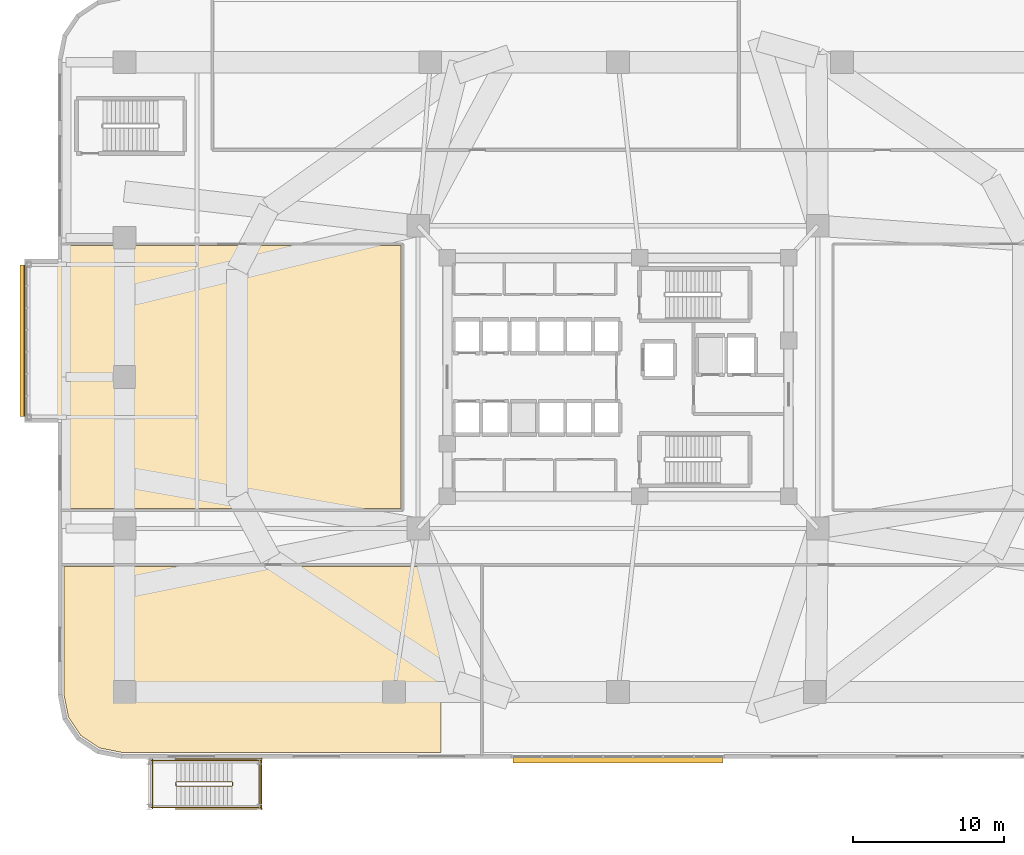
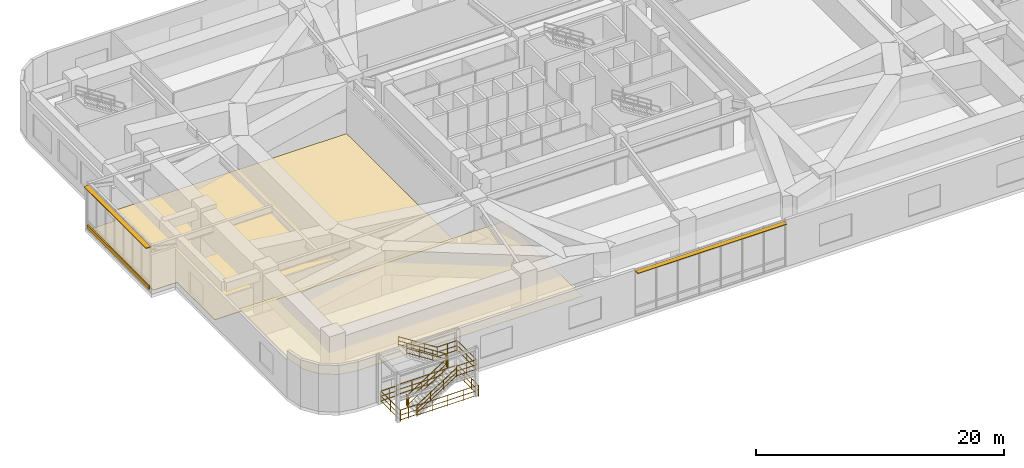
# One storey, part 22 of 26: 15 railings, 3 shading devices, 2 coverings.
"""IFC4 building model written with IfcOpenShell, lengths in metres."""

from ifc_helpers import new_model, si_unit, direction, frame, origin, origin_2d, place, context, subcontext, project, spatial, polyline, rectangle, outline, extrude, material, layer, layer_set, type_object, element, save


model = new_model("IFC4")

# Units and contexts
model_context = context("Model", 3, precision=1e-05, world=origin(), true_north=direction((0.0, 1.0)))
body_context = subcontext(model_context, "Body", "Model", "MODEL_VIEW")
ifc_project = project(units=[si_unit("LENGTHUNIT", "METRE"), si_unit("AREAUNIT", "SQUARE_METRE"), si_unit("VOLUMEUNIT", "CUBIC_METRE"), si_unit("PLANEANGLEUNIT", "RADIAN"), si_unit("MASSUNIT", "GRAM", prefix="KILO")], contexts=[model_context])

# Site, building, storey
site_placement = place(None, origin())
site = spatial("IfcSite", under=ifc_project, at=site_placement, CompositionType="ELEMENT")
building_placement = place(site_placement, origin())
building = spatial("IfcBuilding", under=site, at=building_placement, Name="Zulverin Broadcast Headquarters", CompositionType="ELEMENT")
storey_placement = place(building_placement, frame((0.0, 0.0, 20.0)))
storey = spatial("IfcBuildingStorey", under=building, at=storey_placement, Name="L04", CompositionType="ELEMENT", Elevation=20.0)

# Coverings
ifc_material_1 = material(Name="Perforated pale-metal acoustic baffle ceiling", Category="aluminium")
ifc_layer_1 = layer(ifc_material_1, 0.0400390625, Name="Perforated pale-metal acoustic baffle ceiling", Category="aluminium")
ifc_layer_set_1 = layer_set([ifc_layer_1], Name="Perforated pale-metal acoustic baffle ceiling")
covering_type_1 = type_object("IfcCoveringType", Name="COV-CEIL-ACOU", PredefinedType="CEILING", material=ifc_layer_set_1)
covering_1_placement = place(storey_placement, frame((0.0, 0.0, 3.389892578125)))
element("IfcCovering", 1, at=covering_1_placement, inside=storey, type_object=covering_type_1, Name="L04 Acoustic Baffle Ceiling 01", PredefinedType="CEILING", context=body_context, shape_type="SweptSolid", body=[
    extrude(outline(polyline([(0.39990234375, 4.239990234375), (0.696044921875, 2.748046875), (1.52001953125, 1.52001953125), (2.748046875, 0.696044921875), (4.239990234375, 0.39990234375), (25.300048828125, 0.39990234375), (25.300048828125, 12.679931640625), (0.39990234375, 12.679931640625), (0.39990234375, 4.239990234375)])), origin(), (0.0, 0.0, 1.0), 0.0400390625),
])
ifc_material_2 = material(Name="Anti-static broadcast raised access flooring", Category="stone")
ifc_layer_2 = layer(ifc_material_2, 0.050048828125, Name="Anti-static broadcast raised access flooring", Category="stone")
ifc_layer_set_2 = layer_set([ifc_layer_2], Name="Anti-static broadcast raised access flooring")
covering_type_2 = type_object("IfcCoveringType", Name="COV-FLR-RAISED", PredefinedType="FLOORING", material=ifc_layer_set_2)
covering_2_placement = place(storey_placement, origin())
element("IfcCovering", 2, at=covering_2_placement, inside=storey, type_object=covering_type_2, Name="L04 Broadcast Raised Access Flooring 02", PredefinedType="FLOORING", context=body_context, shape_type="SweptSolid", body=[
    extrude(outline(polyline([(0.2919921875, 32.60009765625), (0.280029296875, 32.60009765625), (-1.800048828125, 32.60009765625), (-1.800048828125, 22.60009765625), (0.280029296875, 22.60009765625), (0.2919921875, 22.60009765625), (0.303955078125, 22.595947265625), (0.31591796875, 22.595947265625), (0.323974609375, 22.592041015625), (0.3359375, 22.583984375), (0.347900390625, 22.580078125), (0.35595703125, 22.572021484375), (0.364013671875, 22.56396484375), (0.3720703125, 22.555908203125), (0.3798828125, 22.548095703125), (0.384033203125, 22.535888671875), (0.39208984375, 22.52392578125), (0.39599609375, 22.51611328125), (0.39599609375, 22.50390625), (0.39990234375, 22.491943359375), (0.39990234375, 22.47998046875), (0.39990234375, 16.52001953125), (22.679931640625, 16.52001953125), (22.679931640625, 33.8798828125), (0.39990234375, 33.8798828125), (0.39990234375, 32.719970703125), (0.39990234375, 32.7080078125), (0.39599609375, 32.696044921875), (0.39599609375, 32.68408203125), (0.39208984375, 32.676025390625), (0.384033203125, 32.6640625), (0.3798828125, 32.652099609375), (0.3720703125, 32.64404296875), (0.364013671875, 32.635986328125), (0.35595703125, 32.6279296875), (0.347900390625, 32.6201171875), (0.3359375, 32.615966796875), (0.323974609375, 32.60791015625), (0.31591796875, 32.60400390625), (0.303955078125, 32.60400390625), (0.2919921875, 32.60009765625)])), origin(), (0.0, 0.0, 1.0), 0.050048828125),
])

# Railings
ifc_material_3 = material(Name="Painted galvanized steel tubular guardrail S355JR", Category="steel")
railing_type_1 = type_object("IfcRailingType", Name="RL-ST-GUARD", PredefinedType="GUARDRAIL", material=ifc_material_3)
railing_1_placement = place(storey_placement, frame((7.85009765625, -1.830078125, 0.178466796875)))
element("IfcRailing", 3, at=railing_1_placement, inside=storey, type_object=railing_type_1, Name="L04 ST-5 stair guard 1", PredefinedType="GUARDRAIL", context=body_context, shape_type="SweptSolid", body=[
    extrude(rectangle(XDim=0.048095703125, YDim=0.048095703125, at=origin_2d()), frame((0.0, 0.0, 1.076171875), z_axis=(0.843111507901, 0.0, 0.53773877045), x_axis=(0.0, 1.0, 0.0)), (0.0, 0.0, 1.0), 4.317138671875),
    extrude(rectangle(XDim=0.0419921875, YDim=0.0419921875, at=origin_2d()), frame((0.0, 0.0, 0.572021484375), z_axis=(0.843111507901, 0.0, 0.53773877045), x_axis=(0.0, 1.0, 0.0)), (0.0, 0.0, 1.0), 4.317138671875),
    extrude(rectangle(XDim=0.0419921875, YDim=0.0419921875, at=origin_2d()), frame((0.0, 0.0, 0.1201171875), z_axis=(0.843111507901, 0.0, 0.53773877045), x_axis=(0.0, 1.0, 0.0)), (0.0, 0.0, 1.0), 4.317138671875),
    extrude(rectangle(XDim=0.0419921875, YDim=0.0419921875, at=origin_2d()), origin(), (0.0, 0.0, 1.0), 1.052001953125),
    extrude(rectangle(XDim=0.0419921875, YDim=0.0419921875, at=origin_2d()), frame((1.21337890625, 0.0, 0.77392578125)), (0.0, 0.0, 1.0), 1.052001953125),
    extrude(rectangle(XDim=0.0419921875, YDim=0.0419921875, at=origin_2d()), frame((2.426513671875, 0.0, 1.547607421875)), (0.0, 0.0, 1.0), 1.052001953125),
    extrude(rectangle(XDim=0.0419921875, YDim=0.0419921875, at=origin_2d()), frame((3.639892578125, 0.0, 2.321533203125)), (0.0, 0.0, 1.0), 1.052001953125),
])
railing_2_placement = place(storey_placement, frame((11.5400390625, -1.780029296875, 2.5)))
element("IfcRailing", 4, at=railing_2_placement, inside=storey, type_object=railing_type_1, Name="L04 ST-5 stair guard 2", PredefinedType="GUARDRAIL", context=body_context, shape_type="SweptSolid", body=[
    extrude(rectangle(XDim=0.048095703125, YDim=0.048095703125, at=origin_2d()), frame((0.0, 0.0, 1.076171875), z_axis=(0.0, 1.0, 0.0), x_axis=(-1.0, 0.0, 0.0)), (0.0, 0.0, 1.0), 0.199951171875),
    extrude(rectangle(XDim=0.0419921875, YDim=0.0419921875, at=origin_2d()), frame((0.0, 0.0, 0.572021484375), z_axis=(0.0, 1.0, 0.0), x_axis=(-1.0, 0.0, 0.0)), (0.0, 0.0, 1.0), 0.199951171875),
    extrude(rectangle(XDim=0.0419921875, YDim=0.0419921875, at=origin_2d()), frame((0.0, 0.0, 0.1201171875), z_axis=(0.0, 1.0, 0.0), x_axis=(-1.0, 0.0, 0.0)), (0.0, 0.0, 1.0), 0.199951171875),
    extrude(rectangle(XDim=0.0419921875, YDim=0.0419921875, at=origin_2d()), origin(), (0.0, 0.0, 1.0), 1.052001953125),
    extrude(rectangle(XDim=0.0419921875, YDim=0.0419921875, at=origin_2d()), frame((0.0, 0.199951171875, 0.0)), (0.0, 0.0, 1.0), 1.052001953125),
])
for number, where, name in (
    (5, (11.489990234375, -3.22998046875, 2.5), "L04 ST-5 stair guard 3"),
    (6, (11.489990234375, -0.1298828125, 2.5), "L04 ST-5 stair guard 4"),
):
    element("IfcRailing", number, at=place(storey_placement, frame(where)), inside=storey, type_object=railing_type_1, Name=name, PredefinedType="GUARDRAIL", context=body_context, shape_type="SweptSolid", body=[
        extrude(rectangle(XDim=0.048095703125, YDim=0.048095703125, at=origin_2d()), frame((0.0, 0.0, 1.076171875), z_axis=(1.0, 0.0, 0.0), x_axis=(0.0, 1.0, 0.0)), (0.0, 0.0, 1.0), 1.909912109375),
        extrude(rectangle(XDim=0.0419921875, YDim=0.0419921875, at=origin_2d()), frame((0.0, 0.0, 0.572021484375), z_axis=(1.0, 0.0, 0.0), x_axis=(0.0, 1.0, 0.0)), (0.0, 0.0, 1.0), 1.909912109375),
        extrude(rectangle(XDim=0.0419921875, YDim=0.0419921875, at=origin_2d()), frame((0.0, 0.0, 0.1201171875), z_axis=(1.0, 0.0, 0.0), x_axis=(0.0, 1.0, 0.0)), (0.0, 0.0, 1.0), 1.909912109375),
        extrude(rectangle(XDim=0.0419921875, YDim=0.0419921875, at=origin_2d()), origin(), (0.0, 0.0, 1.0), 1.052001953125),
        extrude(rectangle(XDim=0.0419921875, YDim=0.0419921875, at=origin_2d()), frame((0.955078125, 0.0, 0.0)), (0.0, 0.0, 1.0), 1.052001953125),
        extrude(rectangle(XDim=0.0419921875, YDim=0.0419921875, at=origin_2d()), frame((1.909912109375, 0.0, 0.0)), (0.0, 0.0, 1.0), 1.052001953125),
    ])
railing_3_placement = place(storey_placement, frame((13.35009765625, -3.280029296875, 2.5)))
element("IfcRailing", 7, at=railing_3_placement, inside=storey, type_object=railing_type_1, Name="L04 ST-5 stair guard 5", PredefinedType="GUARDRAIL", context=body_context, shape_type="SweptSolid", body=[
    extrude(rectangle(XDim=0.048095703125, YDim=0.048095703125, at=origin_2d()), frame((0.0, 0.0, 1.076171875), z_axis=(0.0, 1.0, 0.0), x_axis=(-1.0, 0.0, 0.0)), (0.0, 0.0, 1.0), 3.199951171875),
    extrude(rectangle(XDim=0.0419921875, YDim=0.0419921875, at=origin_2d()), frame((0.0, 0.0, 0.572021484375), z_axis=(0.0, 1.0, 0.0), x_axis=(-1.0, 0.0, 0.0)), (0.0, 0.0, 1.0), 3.199951171875),
    extrude(rectangle(XDim=0.0419921875, YDim=0.0419921875, at=origin_2d()), frame((0.0, 0.0, 0.1201171875), z_axis=(0.0, 1.0, 0.0), x_axis=(-1.0, 0.0, 0.0)), (0.0, 0.0, 1.0), 3.199951171875),
    extrude(rectangle(XDim=0.0419921875, YDim=0.0419921875, at=origin_2d()), origin(), (0.0, 0.0, 1.0), 1.052001953125),
    extrude(rectangle(XDim=0.0419921875, YDim=0.0419921875, at=origin_2d()), frame((0.0, 1.60009765625, 0.0)), (0.0, 0.0, 1.0), 1.052001953125),
    extrude(rectangle(XDim=0.0419921875, YDim=0.0419921875, at=origin_2d()), frame((0.0, 3.199951171875, 0.0)), (0.0, 0.0, 1.0), 1.052001953125),
])
railing_4_placement = place(storey_placement, frame((11.489990234375, -1.530029296875, 2.678466796875)))
element("IfcRailing", 8, at=railing_4_placement, inside=storey, type_object=railing_type_1, Name="L04 ST-5 stair guard 6", PredefinedType="GUARDRAIL", context=body_context, shape_type="SweptSolid", body=[
    extrude(rectangle(XDim=0.048095703125, YDim=0.048095703125, at=origin_2d()), frame((0.0, 0.0, 1.076171875), z_axis=(-0.843111507901, 0.0, 0.53773877045), x_axis=(0.0, -1.0, 0.0)), (0.0, 0.0, 1.0), 4.317138671875),
    extrude(rectangle(XDim=0.0419921875, YDim=0.0419921875, at=origin_2d()), frame((0.0, 0.0, 0.572021484375), z_axis=(-0.843111507901, 0.0, 0.53773877045), x_axis=(0.0, -1.0, 0.0)), (0.0, 0.0, 1.0), 4.317138671875),
    extrude(rectangle(XDim=0.0419921875, YDim=0.0419921875, at=origin_2d()), frame((0.0, 0.0, 0.1201171875), z_axis=(-0.843111507901, 0.0, 0.53773877045), x_axis=(0.0, -1.0, 0.0)), (0.0, 0.0, 1.0), 4.317138671875),
    extrude(rectangle(XDim=0.0419921875, YDim=0.0419921875, at=origin_2d()), origin(), (0.0, 0.0, 1.0), 1.052001953125),
    extrude(rectangle(XDim=0.0419921875, YDim=0.0419921875, at=origin_2d()), frame((-1.21337890625, 0.0, 0.77392578125)), (0.0, 0.0, 1.0), 1.052001953125),
    extrude(rectangle(XDim=0.0419921875, YDim=0.0419921875, at=origin_2d()), frame((-2.426513671875, 0.0, 1.547607421875)), (0.0, 0.0, 1.0), 1.052001953125),
    extrude(rectangle(XDim=0.0419921875, YDim=0.0419921875, at=origin_2d()), frame((-3.639892578125, 0.0, 2.321533203125)), (0.0, 0.0, 1.0), 1.052001953125),
])
railing_5_placement = place(storey_placement, frame((7.800048828125, -1.780029296875, 0.0)))
element("IfcRailing", 9, at=railing_5_placement, inside=storey, type_object=railing_type_1, Name="L04 ST-5 stair guard 7", PredefinedType="GUARDRAIL", context=body_context, shape_type="SweptSolid", body=[
    extrude(rectangle(XDim=0.048095703125, YDim=0.048095703125, at=origin_2d()), frame((0.0, 0.0, 1.076171875), z_axis=(0.0, 1.0, 0.0), x_axis=(-1.0, 0.0, 0.0)), (0.0, 0.0, 1.0), 0.199951171875),
    extrude(rectangle(XDim=0.0419921875, YDim=0.0419921875, at=origin_2d()), frame((0.0, 0.0, 0.572021484375), z_axis=(0.0, 1.0, 0.0), x_axis=(-1.0, 0.0, 0.0)), (0.0, 0.0, 1.0), 0.199951171875),
    extrude(rectangle(XDim=0.0419921875, YDim=0.0419921875, at=origin_2d()), frame((0.0, 0.0, 0.1201171875), z_axis=(0.0, 1.0, 0.0), x_axis=(-1.0, 0.0, 0.0)), (0.0, 0.0, 1.0), 0.199951171875),
    extrude(rectangle(XDim=0.0419921875, YDim=0.0419921875, at=origin_2d()), origin(), (0.0, 0.0, 1.0), 1.052001953125),
    extrude(rectangle(XDim=0.0419921875, YDim=0.0419921875, at=origin_2d()), frame((0.0, 0.199951171875, 0.0)), (0.0, 0.0, 1.0), 1.052001953125),
])
for number, where, name in (
    (10, (6.199951171875, -3.22998046875, 0.0), "L04 ST-5 stair guard 8"),
    (11, (6.199951171875, -0.1298828125, 0.0), "L04 ST-5 stair guard 9"),
):
    element("IfcRailing", number, at=place(storey_placement, frame(where)), inside=storey, type_object=railing_type_1, Name=name, PredefinedType="GUARDRAIL", context=body_context, shape_type="SweptSolid", body=[
        extrude(rectangle(XDim=0.048095703125, YDim=0.048095703125, at=origin_2d()), frame((0.0, 0.0, 1.076171875), z_axis=(1.0, 0.0, 0.0), x_axis=(0.0, 1.0, 0.0)), (0.0, 0.0, 1.0), 1.650146484375),
        extrude(rectangle(XDim=0.0419921875, YDim=0.0419921875, at=origin_2d()), frame((0.0, 0.0, 0.572021484375), z_axis=(1.0, 0.0, 0.0), x_axis=(0.0, 1.0, 0.0)), (0.0, 0.0, 1.0), 1.650146484375),
        extrude(rectangle(XDim=0.0419921875, YDim=0.0419921875, at=origin_2d()), frame((0.0, 0.0, 0.1201171875), z_axis=(1.0, 0.0, 0.0), x_axis=(0.0, 1.0, 0.0)), (0.0, 0.0, 1.0), 1.650146484375),
        extrude(rectangle(XDim=0.0419921875, YDim=0.0419921875, at=origin_2d()), origin(), (0.0, 0.0, 1.0), 1.052001953125),
        extrude(rectangle(XDim=0.0419921875, YDim=0.0419921875, at=origin_2d()), frame((0.8251953125, 0.0, 0.0)), (0.0, 0.0, 1.0), 1.052001953125),
        extrude(rectangle(XDim=0.0419921875, YDim=0.0419921875, at=origin_2d()), frame((1.650146484375, 0.0, 0.0)), (0.0, 0.0, 1.0), 1.052001953125),
    ])
railing_6_placement = place(storey_placement, frame((6.25, -3.280029296875, 0.0)))
element("IfcRailing", 12, at=railing_6_placement, inside=storey, type_object=railing_type_1, Name="L04 ST-5 stair guard 10", PredefinedType="GUARDRAIL", context=body_context, shape_type="SweptSolid", body=[
    extrude(rectangle(XDim=0.048095703125, YDim=0.048095703125, at=origin_2d()), frame((0.0, 0.0, 1.076171875), z_axis=(0.0, 1.0, 0.0), x_axis=(-1.0, 0.0, 0.0)), (0.0, 0.0, 1.0), 3.199951171875),
    extrude(rectangle(XDim=0.0419921875, YDim=0.0419921875, at=origin_2d()), frame((0.0, 0.0, 0.572021484375), z_axis=(0.0, 1.0, 0.0), x_axis=(-1.0, 0.0, 0.0)), (0.0, 0.0, 1.0), 3.199951171875),
    extrude(rectangle(XDim=0.0419921875, YDim=0.0419921875, at=origin_2d()), frame((0.0, 0.0, 0.1201171875), z_axis=(0.0, 1.0, 0.0), x_axis=(-1.0, 0.0, 0.0)), (0.0, 0.0, 1.0), 3.199951171875),
    extrude(rectangle(XDim=0.0419921875, YDim=0.0419921875, at=origin_2d()), origin(), (0.0, 0.0, 1.0), 1.052001953125),
    extrude(rectangle(XDim=0.0419921875, YDim=0.0419921875, at=origin_2d()), frame((0.0, 1.60009765625, 0.0)), (0.0, 0.0, 1.0), 1.052001953125),
    extrude(rectangle(XDim=0.0419921875, YDim=0.0419921875, at=origin_2d()), frame((0.0, 3.199951171875, 0.0)), (0.0, 0.0, 1.0), 1.052001953125),
])
for number, where, name in (
    (13, (7.75, -3.330078125, 0.0), "L04 ST-5 stair guard 11"),
    (14, (7.75, -0.030029296875, 0.0), "L04 ST-5 stair guard 12"),
):
    element("IfcRailing", number, at=place(storey_placement, frame(where)), inside=storey, type_object=railing_type_1, Name=name, PredefinedType="GUARDRAIL", context=body_context, shape_type="SweptSolid", body=[
        extrude(rectangle(XDim=0.048095703125, YDim=0.048095703125, at=origin_2d()), frame((0.0, 0.0, 1.076171875), z_axis=(1.0, 0.0, 0.0), x_axis=(0.0, 1.0, 0.0)), (0.0, 0.0, 1.0), 5.75),
        extrude(rectangle(XDim=0.0419921875, YDim=0.0419921875, at=origin_2d()), frame((0.0, 0.0, 0.572021484375), z_axis=(1.0, 0.0, 0.0), x_axis=(0.0, 1.0, 0.0)), (0.0, 0.0, 1.0), 5.75),
        extrude(rectangle(XDim=0.0419921875, YDim=0.0419921875, at=origin_2d()), frame((0.0, 0.0, 0.1201171875), z_axis=(1.0, 0.0, 0.0), x_axis=(0.0, 1.0, 0.0)), (0.0, 0.0, 1.0), 5.75),
        extrude(rectangle(XDim=0.0419921875, YDim=0.0419921875, at=origin_2d()), origin(), (0.0, 0.0, 1.0), 1.052001953125),
        extrude(rectangle(XDim=0.0419921875, YDim=0.0419921875, at=origin_2d()), frame((1.4375, 0.0, 0.0)), (0.0, 0.0, 1.0), 1.052001953125),
        extrude(rectangle(XDim=0.0419921875, YDim=0.0419921875, at=origin_2d()), frame((2.875, 0.0, 0.0)), (0.0, 0.0, 1.0), 1.052001953125),
        extrude(rectangle(XDim=0.0419921875, YDim=0.0419921875, at=origin_2d()), frame((4.3125, 0.0, 0.0)), (0.0, 0.0, 1.0), 1.052001953125),
        extrude(rectangle(XDim=0.0419921875, YDim=0.0419921875, at=origin_2d()), frame((5.75, 0.0, 0.0)), (0.0, 0.0, 1.0), 1.052001953125),
    ])
railing_7_placement = place(storey_placement, frame((13.449951171875, -3.3798828125, 0.0)))
element("IfcRailing", 15, at=railing_7_placement, inside=storey, type_object=railing_type_1, Name="L04 ST-5 stair guard 13", PredefinedType="GUARDRAIL", context=body_context, shape_type="SweptSolid", body=[
    extrude(rectangle(XDim=0.048095703125, YDim=0.048095703125, at=origin_2d()), frame((0.0, 0.0, 1.076171875), z_axis=(0.0, 1.0, 0.0), x_axis=(-1.0, 0.0, 0.0)), (0.0, 0.0, 1.0), 3.39990234375),
    extrude(rectangle(XDim=0.0419921875, YDim=0.0419921875, at=origin_2d()), frame((0.0, 0.0, 0.572021484375), z_axis=(0.0, 1.0, 0.0), x_axis=(-1.0, 0.0, 0.0)), (0.0, 0.0, 1.0), 3.39990234375),
    extrude(rectangle(XDim=0.0419921875, YDim=0.0419921875, at=origin_2d()), frame((0.0, 0.0, 0.1201171875), z_axis=(0.0, 1.0, 0.0), x_axis=(-1.0, 0.0, 0.0)), (0.0, 0.0, 1.0), 3.39990234375),
    extrude(rectangle(XDim=0.0419921875, YDim=0.0419921875, at=origin_2d()), origin(), (0.0, 0.0, 1.0), 1.052001953125),
    extrude(rectangle(XDim=0.0419921875, YDim=0.0419921875, at=origin_2d()), frame((0.0, 1.13330078125, 0.0)), (0.0, 0.0, 1.0), 1.052001953125),
    extrude(rectangle(XDim=0.0419921875, YDim=0.0419921875, at=origin_2d()), frame((0.0, 2.2666015625, 0.0)), (0.0, 0.0, 1.0), 1.052001953125),
    extrude(rectangle(XDim=0.0419921875, YDim=0.0419921875, at=origin_2d()), frame((0.0, 3.39990234375, 0.0)), (0.0, 0.0, 1.0), 1.052001953125),
])
ifc_material_4 = material(Name="Brushed stainless steel 48 mm handrail", Category="steel")
railing_type_2 = type_object("IfcRailingType", Name="RL-ST-HAND", PredefinedType="HANDRAIL", material=ifc_material_4)
railing_8_placement = place(storey_placement, frame((7.85009765625, -3.22998046875, 0.178466796875)))
element("IfcRailing", 16, at=railing_8_placement, inside=storey, type_object=railing_type_2, Name="L04 ST-5 stair handrail 1", PredefinedType="HANDRAIL", context=body_context, shape_type="SweptSolid", body=[
    extrude(rectangle(XDim=0.048095703125, YDim=0.048095703125, at=origin_2d()), frame((0.0, 0.0, 0.8759765625), z_axis=(0.843111507901, 0.0, 0.53773877045), x_axis=(0.0, 1.0, 0.0)), (0.0, 0.0, 1.0), 4.317138671875),
    extrude(rectangle(XDim=0.0419921875, YDim=0.0419921875, at=origin_2d()), frame((0.0, 0.0, 0.468017578125), z_axis=(0.843111507901, 0.0, 0.53773877045), x_axis=(0.0, 1.0, 0.0)), (0.0, 0.0, 1.0), 4.317138671875),
    extrude(rectangle(XDim=0.0419921875, YDim=0.0419921875, at=origin_2d()), frame((0.0, 0.0, 0.1201171875), z_axis=(0.843111507901, 0.0, 0.53773877045), x_axis=(0.0, 1.0, 0.0)), (0.0, 0.0, 1.0), 4.317138671875),
    extrude(rectangle(XDim=0.0419921875, YDim=0.0419921875, at=origin_2d()), origin(), (0.0, 0.0, 1.0), 0.851806640625),
    extrude(rectangle(XDim=0.0419921875, YDim=0.0419921875, at=origin_2d()), frame((1.21337890625, 0.0, 0.77392578125)), (0.0, 0.0, 1.0), 0.851806640625),
    extrude(rectangle(XDim=0.0419921875, YDim=0.0419921875, at=origin_2d()), frame((2.426513671875, 0.0, 1.547607421875)), (0.0, 0.0, 1.0), 0.851806640625),
    extrude(rectangle(XDim=0.0419921875, YDim=0.0419921875, at=origin_2d()), frame((3.639892578125, 0.0, 2.321533203125)), (0.0, 0.0, 1.0), 0.851806640625),
])
railing_9_placement = place(storey_placement, frame((11.489990234375, -0.1298828125, 2.678466796875)))
element("IfcRailing", 17, at=railing_9_placement, inside=storey, type_object=railing_type_2, Name="L04 ST-5 stair handrail 2", PredefinedType="HANDRAIL", context=body_context, shape_type="SweptSolid", body=[
    extrude(rectangle(XDim=0.048095703125, YDim=0.048095703125, at=origin_2d()), frame((0.0, 0.0, 0.8759765625), z_axis=(-0.843111507901, 0.0, 0.53773877045), x_axis=(0.0, -1.0, 0.0)), (0.0, 0.0, 1.0), 4.317138671875),
    extrude(rectangle(XDim=0.0419921875, YDim=0.0419921875, at=origin_2d()), frame((0.0, 0.0, 0.468017578125), z_axis=(-0.843111507901, 0.0, 0.53773877045), x_axis=(0.0, -1.0, 0.0)), (0.0, 0.0, 1.0), 4.317138671875),
    extrude(rectangle(XDim=0.0419921875, YDim=0.0419921875, at=origin_2d()), frame((0.0, 0.0, 0.1201171875), z_axis=(-0.843111507901, 0.0, 0.53773877045), x_axis=(0.0, -1.0, 0.0)), (0.0, 0.0, 1.0), 4.317138671875),
    extrude(rectangle(XDim=0.0419921875, YDim=0.0419921875, at=origin_2d()), origin(), (0.0, 0.0, 1.0), 0.851806640625),
    extrude(rectangle(XDim=0.0419921875, YDim=0.0419921875, at=origin_2d()), frame((-1.21337890625, 0.0, 0.77392578125)), (0.0, 0.0, 1.0), 0.851806640625),
    extrude(rectangle(XDim=0.0419921875, YDim=0.0419921875, at=origin_2d()), frame((-2.426513671875, 0.0, 1.547607421875)), (0.0, 0.0, 1.0), 0.851806640625),
    extrude(rectangle(XDim=0.0419921875, YDim=0.0419921875, at=origin_2d()), frame((-3.639892578125, 0.0, 2.321533203125)), (0.0, 0.0, 1.0), 0.851806640625),
])

# Shading devices
ifc_material_5 = material(Name="Anodized pale-metal aluminium acoustic louvre", Category="aluminium")
shading_device_type_1 = type_object("IfcShadingDeviceType", Name="SHD-LOUVRE-350", PredefinedType="USERDEFINED", material=ifc_material_5)
shading_device_1_placement = place(storey_placement, frame((-2.159912109375, 27.60009765625, 0.224853515625), z_axis=(0.0, 0.0, 1.0), x_axis=(0.0, -1.0, 0.0)))
element("IfcShadingDevice", 18, at=shading_device_1_placement, inside=storey, type_object=shading_device_type_1, Name="L04 Pale-Metal Acoustic Louvre Screen CW-L04-SBOX_POD_UPPER_W1-F", ObjectType="LOUVRE", PredefinedType="USERDEFINED", context=body_context, shape_type="SweptSolid", body=[
    extrude(rectangle(XDim=9.93994140625, YDim=0.1201171875, at=origin_2d()), origin(), (0.0, 0.0, 1.0), 0.35009765625),
])
ifc_material_6 = material(Name="Anodized pale-metal aluminium sunshade", Category="aluminium")
ifc_layer_3 = layer(ifc_material_6, 0.06005859375, Name="Anodized pale-metal aluminium sunshade", Category="aluminium")
ifc_layer_set_3 = layer_set([ifc_layer_3], Name="Anodized pale-metal aluminium sunshade")
shading_device_type_2 = type_object("IfcShadingDeviceType", Name="SS-01_PALE_METAL_ALUMINIUM_SUNSHADE", PredefinedType="USERDEFINED", material=ifc_layer_set_3)
shading_device_2_placement = place(storey_placement, frame((37.0, -0.080078125, 4.369873046875), z_axis=(0.0, 0.0, 1.0), x_axis=(1.0, 0.0, 0.0)))
element("IfcShadingDevice", 19, at=shading_device_2_placement, inside=storey, type_object=shading_device_type_2, Name="L04 Pale-Metal Horizontal Sunshade Band CW-L04-S4", ObjectType="SUNSHADE", PredefinedType="USERDEFINED", context=body_context, shape_type="SweptSolid", body=[
    extrude(rectangle(XDim=13.860107421875, YDim=0.449951171875, at=origin_2d()), origin(), (0.0, 0.0, 1.0), 0.06005859375),
])
shading_device_3_placement = place(storey_placement, frame((-2.280029296875, 27.60009765625, 4.369873046875), z_axis=(0.0, 0.0, 1.0), x_axis=(0.0, -1.0, 0.0)))
element("IfcShadingDevice", 20, at=shading_device_3_placement, inside=storey, type_object=shading_device_type_2, Name="L04 Pale-Metal Horizontal Sunshade Band CW-L04-SBOX_POD_UPPER_W1-F", ObjectType="SUNSHADE", PredefinedType="USERDEFINED", context=body_context, shape_type="SweptSolid", body=[
    extrude(rectangle(XDim=10.02001953125, YDim=0.449951171875, at=origin_2d()), origin(), (0.0, 0.0, 1.0), 0.06005859375),
])

save(model, "model.ifc")
